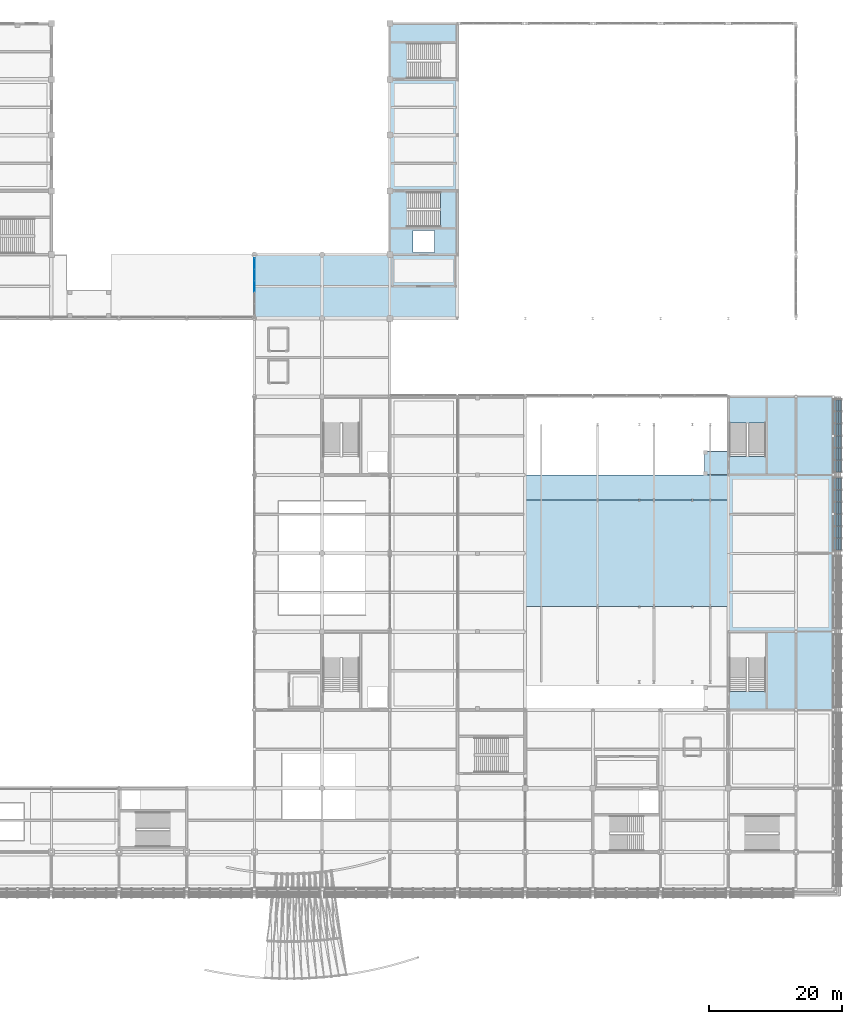
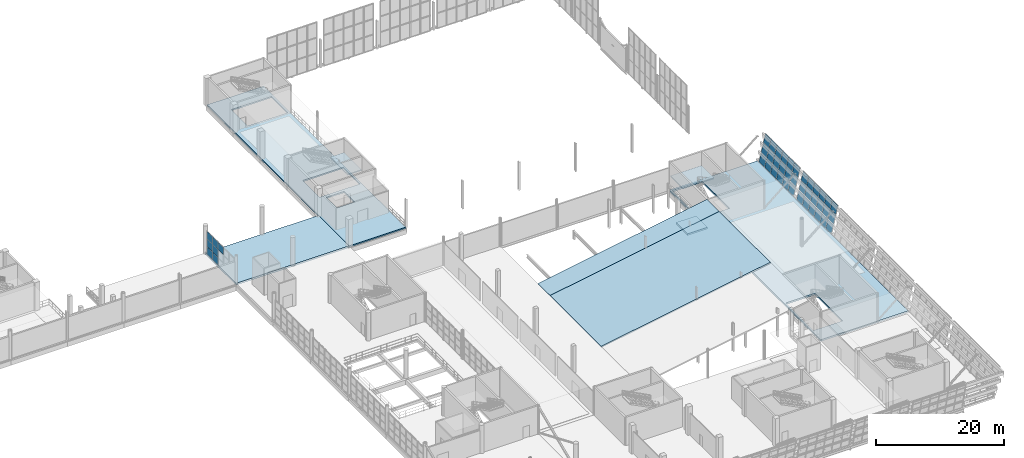
# One storey, part 118 of 175: 43 plates, 8 slabs, 5 elements without a shape of their own.
"""IFC4 building model written with IfcOpenShell, lengths in metres."""

import ifcopenshell
import ifcopenshell.guid

model = None  # the IFC model being written
_history = None  # IfcOwnerHistory: only IFC2X3 demands one
_inside = {}  # id of a spatial element -> (the spatial element, [elements in it])
_under = {}  # id of a project, library or spatial element -> (it, [spatial elements below it])
_declared = {}  # id of a project -> (the project, [libraries it declares])
_typed = {}  # id of a type object -> (the type object, [elements of that type])
_made_of = {}  # id of a material, layer set ... -> (it, [elements and type objects made of it])


def new_model(schema):
    """Start an empty IFC model of exactly this schema.

    Asked for "IFC4X3", IfcOpenShell would pick the latest addendum, in which some entities
    have other attributes; the version numbers below select the first issue.
    IFC2X3 requires an IfcOwnerHistory on every rooted entity: one is made here for all.
    """
    global model, _history
    if schema == "IFC4X3":
        model = ifcopenshell.file(schema_version=(4, 3, 0, 0))
    else:
        model = ifcopenshell.file(schema=schema)
    _inside.clear()
    _under.clear()
    _declared.clear()
    _typed.clear()
    _made_of.clear()
    _history = None
    if model.schema == "IFC2X3":
        org = make("IfcOrganization", Name="unknown")
        user = make(
            "IfcPersonAndOrganization",
            ThePerson=make("IfcPerson", FamilyName="unknown"),
            TheOrganization=org,
        )
        app = make(
            "IfcApplication",
            ApplicationDeveloper=org,
            Version="unknown",
            ApplicationFullName="unknown",
            ApplicationIdentifier="unknown",
        )
        _history = make(
            "IfcOwnerHistory",
            OwningUser=user,
            OwningApplication=app,
            ChangeAction="ADDED",
            CreationDate=0,
        )
    return model


def make(cls, **values):
    """One entity of the class cls with the attributes given. An attribute that is None is left unset."""
    return model.create_entity(
        cls, **{name: value for name, value in values.items() if value is not None}
    )


def rooted(cls, **values):
    """An entity with a GlobalId (a new one), such as an element, a storey or a relation."""
    return make(cls, GlobalId=ifcopenshell.guid.new(), OwnerHistory=_history, **values)


def si_unit(unit_type, name, prefix=None):
    """IfcSIUnit, for example si_unit("LENGTHUNIT", "METRE", prefix="MILLI")."""
    return make("IfcSIUnit", UnitType=unit_type, Prefix=prefix, Name=name)


def assignment(units):
    """IfcUnitAssignment: the units of a project."""
    return None if units is None else make("IfcUnitAssignment", Units=units)


def point(xyz):
    """IfcCartesianPoint."""
    return None if xyz is None else make("IfcCartesianPoint", Coordinates=xyz)


def direction(xyz):
    """IfcDirection."""
    return None if xyz is None else make("IfcDirection", DirectionRatios=xyz)


def frame(location, z_axis=None, x_axis=None):
    """IfcAxis2Placement3D, a coordinate frame: its origin and axes. An axis left out is left unset."""
    return make(
        "IfcAxis2Placement3D",
        Location=point(location),
        Axis=direction(z_axis),
        RefDirection=direction(x_axis),
    )


def frame_2d(location, x_axis=None):
    """IfcAxis2Placement2D, a coordinate frame in the plane: its origin and x axis."""
    return make(
        "IfcAxis2Placement2D", Location=point(location), RefDirection=direction(x_axis)
    )


def origin():
    """The frame at (0, 0, 0) with its axes left unset."""
    return frame((0.0, 0.0, 0.0))


def origin_2d():
    """The frame at (0, 0) in the plane with its x axis left unset."""
    return frame_2d((0.0, 0.0))


def place(relative_to, where):
    """IfcLocalPlacement: puts the frame where relative to a parent placement (None: the world)."""
    return make(
        "IfcLocalPlacement", PlacementRelTo=relative_to, RelativePlacement=where
    )


def context(
    kind, dimensions, precision=None, world=None, true_north=None, identifier=None
):
    """IfcGeometricRepresentationContext, for example the 3D "Model" context."""
    return make(
        "IfcGeometricRepresentationContext",
        ContextIdentifier=identifier,
        ContextType=kind,
        CoordinateSpaceDimension=dimensions,
        Precision=precision,
        WorldCoordinateSystem=world,
        TrueNorth=true_north,
    )


def subcontext(parent, identifier, kind, view, scale=None):
    """IfcGeometricRepresentationSubContext, for example "Body" below "Model"."""
    return make(
        "IfcGeometricRepresentationSubContext",
        ContextIdentifier=identifier,
        ContextType=kind,
        ParentContext=parent,
        TargetScale=scale,
        TargetView=view,
    )


def project(units=None, contexts=None):
    """IfcProject with its units and contexts."""
    return rooted(
        "IfcProject",
        Name="project",
        RepresentationContexts=contexts,
        UnitsInContext=assignment(units),
    )


def spatial(cls, under=None, at=None, **own):
    """A site, building, storey or space (cls), placed at a placement, below another one or the project."""
    s = rooted(cls, ObjectPlacement=at, **own)
    if under is not None:
        _under.setdefault(under.id(), (under, []))[1].append(s)
    return s


def polyline(points):
    """IfcPolyline through the points."""
    return make("IfcPolyline", Points=[point(p) for p in points])


def profile(cls, at=None, kind="AREA", **sizes):
    """A parametric profile (cls). Its sizes go by their IFC names, for example OverallWidth=200.0."""
    return make(cls, ProfileType=kind, Position=at, **sizes)


def rectangle(**sizes):
    """IfcRectangleProfileDef."""
    return profile("IfcRectangleProfileDef", **sizes)


def outline(outer, holes=None, kind="AREA"):
    """IfcArbitraryClosedProfileDef: a profile drawn as a closed curve; with holes, ...WithVoids."""
    if holes is None:
        return make("IfcArbitraryClosedProfileDef", ProfileType=kind, OuterCurve=outer)
    return make(
        "IfcArbitraryProfileDefWithVoids",
        ProfileType=kind,
        OuterCurve=outer,
        InnerCurves=holes,
    )


def extrude(swept, where, along, depth):
    """IfcExtrudedAreaSolid: the profile swept, set in the frame where, extruded along a direction by depth."""
    return make(
        "IfcExtrudedAreaSolid",
        SweptArea=swept,
        Position=where,
        ExtrudedDirection=direction(along),
        Depth=depth,
    )


def shape(context_of_items, identifier, shape_type, items):
    """IfcShapeRepresentation: the items that make up one representation, for example the "Body"."""
    return make(
        "IfcShapeRepresentation",
        ContextOfItems=context_of_items,
        RepresentationIdentifier=identifier,
        RepresentationType=shape_type,
        Items=items,
    )


def material(Name=None, Category=None):
    """IfcMaterial."""
    return make("IfcMaterial", Name=Name, Category=Category)


def layer(
    of_material, thickness, ventilated=None, Name=None, Category=None, Priority=None
):
    """IfcMaterialLayer: one layer of a wall or slab, of a material (None: an air gap)."""
    return make(
        "IfcMaterialLayer",
        Material=of_material,
        LayerThickness=thickness,
        IsVentilated=ventilated,
        Name=Name,
        Category=Category,
        Priority=Priority,
    )


def layer_set(layers, Name=None):
    """IfcMaterialLayerSet."""
    return make("IfcMaterialLayerSet", MaterialLayers=layers, LayerSetName=Name)


def made_of(thing, what):
    """Note that an element or type object is made of a material, layer set ...; save() writes the relation."""
    if what is not None:
        _made_of.setdefault(what.id(), (what, []))[1].append(thing)
    return thing


def type_object(cls, material=None, **own):
    """A type object (cls), such as IfcWallType, which elements share."""
    return made_of(rooted(cls, **own), material)


def element(
    cls,
    number,
    at=None,
    inside=None,
    cuts=None,
    type_object=None,
    material=None,
    context=None,
    identifier="Body",
    shape_type=None,
    held_by="IfcProductDefinitionShape",
    body=None,
    shapes=None,
    **own,
):
    """One element of the class cls, such as IfcWall. Its Tag is "e" and its number.

    at: its placement. inside: the storey or other place that contains it. cuts: it is an
    opening in that element (IfcRelVoidsElement). A single representation is given by context,
    identifier, shape_type and body (its items); several are given by shapes. held_by: the class
    of the entity that holds the representations. save() writes the other relations.
    """
    e = rooted(cls, Tag="e%d" % number, ObjectPlacement=at, **own)
    if body is not None:
        shapes = [shape(context, identifier, shape_type, body)]
    if shapes is not None:
        e.Representation = make(held_by, Representations=shapes)
    if inside is not None:
        _inside.setdefault(inside.id(), (inside, []))[1].append(e)
    if cuts is not None:
        rooted(
            "IfcRelVoidsElement", RelatingBuildingElement=cuts, RelatedOpeningElement=e
        )
    if type_object is not None:
        _typed.setdefault(type_object.id(), (type_object, []))[1].append(e)
    return made_of(e, material)


def aggregate(whole, parts):
    """IfcRelAggregates: a whole, such as a stair, and the parts it consists of."""
    return rooted("IfcRelAggregates", RelatingObject=whole, RelatedObjects=parts)


def save(model, path):
    """Write the relations noted so far, then the file.

    IfcRelAggregates (storeys below a building ...), IfcRelContainedInSpatialStructure (elements
    in a storey), IfcRelDefinesByType, IfcRelAssociatesMaterial and IfcRelDeclares: one each for
    every whole, place, type object, material and project.
    """
    for whole, parts in _under.values():
        aggregate(whole, parts)
    for where, things in _inside.values():
        rooted(
            "IfcRelContainedInSpatialStructure",
            RelatedElements=things,
            RelatingStructure=where,
        )
    for kind, things in _typed.values():
        rooted("IfcRelDefinesByType", RelatedObjects=things, RelatingType=kind)
    for what, things in _made_of.values():
        rooted("IfcRelAssociatesMaterial", RelatedObjects=things, RelatingMaterial=what)
    for by, libraries in _declared.values():
        rooted("IfcRelDeclares", RelatingContext=by, RelatedDefinitions=libraries)
    model.write(path)


model = new_model("IFC4")

# Units and contexts
model_context = context("Model", 3, precision=1e-05, world=origin(), true_north=direction((0.0, 1.0)))
body_context = subcontext(model_context, "Body", "Model", "MODEL_VIEW")
ifc_project = project(units=[si_unit("LENGTHUNIT", "METRE"), si_unit("AREAUNIT", "SQUARE_METRE"), si_unit("VOLUMEUNIT", "CUBIC_METRE"), si_unit("PLANEANGLEUNIT", "RADIAN"), si_unit("MASSUNIT", "GRAM", prefix="KILO")], contexts=[model_context])

# Site, building, storey
site_placement = place(None, origin())
site = spatial("IfcSite", under=ifc_project, at=site_placement, CompositionType="ELEMENT")
building_placement = place(site_placement, origin())
building = spatial("IfcBuilding", under=site, at=building_placement, Name="Brelvane Convention Centre", CompositionType="ELEMENT")
storey_placement = place(building_placement, frame((0.0, 0.0, 5.39990234375)))
storey = spatial("IfcBuildingStorey", under=building, at=storey_placement, Name="L01", CompositionType="ELEMENT", Elevation=5.39990234375)

# Curtain wall, plates
ifc_material_1 = material(Name="Anodised Aluminium Alloy 6063-T6", Category="aluminium")
curtain_wall_type_1 = type_object("IfcCurtainWallType", Name="Curtain Wall CW-PLEN-E", PredefinedType="USERDEFINED", material=ifc_material_1)
curtain_wall_1_placement = place(storey_placement, origin())
curtain_wall_1 = element("IfcCurtainWall", 1, at=curtain_wall_1_placement, inside=storey, type_object=curtain_wall_type_1, Name="Curtain Wall CW-PLEN-E L01-HULL-E-L01-5", ObjectType="UNITISED", PredefinedType="USERDEFINED")
ifc_material_2 = material(Name="Double Glazed Low-E Laminated Unit")
ifc_layer_1 = layer(ifc_material_2, 0.031982421875)
ifc_layer_set_1 = layer_set([ifc_layer_1], Name="Double Glazed Low-E Laminated Unit")
plate_type_1 = type_object("IfcPlateType", Name="Curtain Panel CW-PG1", PredefinedType="CURTAIN_PANEL", material=ifc_layer_set_1)
plate_1_placement = place(storey_placement, frame((230.410888671875, 64.675048828125, 1.751708984375), z_axis=(-0.973579720105, 0.0, 0.228347385798), x_axis=(0.0, 1.0, 0.0)))
plate_1 = element("IfcPlate", 2, at=plate_1_placement, type_object=plate_type_1, Name="CW-PLEN-E panel 1.2", PredefinedType="CURTAIN_PANEL", context=body_context, shape_type="SweptSolid", body=[
    extrude(outline(polyline([(0.0, 0.0), (1.720703125, 0.0), (1.720703125, -1.6914162051852764), (0.0, -1.6914162051852764), (0.0, 0.0)])), origin(), (0.0, 0.0, -1.0), 0.031982421875),
])
plate_2_placement = place(storey_placement, frame((230.8134765625, 64.675048828125, 3.468505859375), z_axis=(-0.973587118463, 0.0, 0.22831583993), x_axis=(0.0, 1.0, 0.0)))
plate_2 = element("IfcPlate", 3, at=plate_2_placement, type_object=plate_type_1, Name="CW-PLEN-E panel 1.3", PredefinedType="CURTAIN_PANEL", context=body_context, shape_type="SweptSolid", body=[
    extrude(outline(polyline([(0.0, 0.0), (1.720703125, 0.0), (1.720703125, -1.6552933323207533), (0.0, -1.6552933323207533), (0.0, 0.0)])), origin(), (0.0, 0.0, -1.0), 0.031982421875),
])
plate_3_placement = place(storey_placement, frame((230.410888671875, 66.470947265625, 1.751708984375), z_axis=(-0.973579720105, 0.0, 0.228347385798), x_axis=(0.0, 1.0, 0.0)))
plate_3 = element("IfcPlate", 4, at=plate_3_placement, type_object=plate_type_1, Name="CW-PLEN-E panel 2.2", PredefinedType="CURTAIN_PANEL", context=body_context, shape_type="SweptSolid", body=[
    extrude(outline(polyline([(0.0, 0.0), (1.75830078125, 0.0), (1.75830078125, -1.6914162051852764), (0.0, -1.6914162051852764), (0.0, 0.0)])), origin(), (0.0, 0.0, -1.0), 0.031982421875),
])
plate_4_placement = place(storey_placement, frame((230.8134765625, 66.470947265625, 3.468505859375), z_axis=(-0.973587118463, 0.0, 0.22831583993), x_axis=(0.0, 1.0, 0.0)))
plate_4 = element("IfcPlate", 5, at=plate_4_placement, type_object=plate_type_1, Name="CW-PLEN-E panel 2.3", PredefinedType="CURTAIN_PANEL", context=body_context, shape_type="SweptSolid", body=[
    extrude(outline(polyline([(0.0, 0.0), (1.75830078125, 0.0), (1.75830078125, -1.6552933323207533), (0.0, -1.6552933323207533), (0.0, 0.0)])), origin(), (0.0, 0.0, -1.0), 0.031982421875),
])
plate_5_placement = place(storey_placement, frame((230.410888671875, 68.30419921875, 1.751708984375), z_axis=(-0.973579720105, 0.0, 0.228347385798), x_axis=(0.0, 1.0, 0.0)))
plate_5 = element("IfcPlate", 6, at=plate_5_placement, type_object=plate_type_1, Name="CW-PLEN-E panel 3.2", PredefinedType="CURTAIN_PANEL", context=body_context, shape_type="SweptSolid", body=[
    extrude(outline(polyline([(0.0, 0.0), (1.75830078125, 0.0), (1.75830078125, -1.6914162051852764), (0.0, -1.6914162051852764), (0.0, 0.0)])), origin(), (0.0, 0.0, -1.0), 0.031982421875),
])
plate_6_placement = place(storey_placement, frame((230.8134765625, 68.30419921875, 3.468505859375), z_axis=(-0.973587118463, 0.0, 0.22831583993), x_axis=(0.0, 1.0, 0.0)))
plate_6 = element("IfcPlate", 7, at=plate_6_placement, type_object=plate_type_1, Name="CW-PLEN-E panel 3.3", PredefinedType="CURTAIN_PANEL", context=body_context, shape_type="SweptSolid", body=[
    extrude(outline(polyline([(0.0, 0.0), (1.75830078125, 0.0), (1.75830078125, -1.6552933323207533), (0.0, -1.6552933323207533), (0.0, 0.0)])), origin(), (0.0, 0.0, -1.0), 0.031982421875),
])
plate_7_placement = place(storey_placement, frame((230.410888671875, 70.137451171875, 1.751708984375), z_axis=(-0.973579720105, 0.0, 0.228347385798), x_axis=(0.0, 1.0, 0.0)))
plate_7 = element("IfcPlate", 8, at=plate_7_placement, type_object=plate_type_1, Name="CW-PLEN-E panel 4.2", PredefinedType="CURTAIN_PANEL", context=body_context, shape_type="SweptSolid", body=[
    extrude(outline(polyline([(0.0, 0.0), (1.75830078125, 0.0), (1.75830078125, -1.6914162051852764), (0.0, -1.6914162051852764), (0.0, 0.0)])), origin(), (0.0, 0.0, -1.0), 0.031982421875),
])
plate_8_placement = place(storey_placement, frame((230.8134765625, 70.137451171875, 3.468505859375), z_axis=(-0.973587118463, 0.0, 0.22831583993), x_axis=(0.0, 1.0, 0.0)))
plate_8 = element("IfcPlate", 9, at=plate_8_placement, type_object=plate_type_1, Name="CW-PLEN-E panel 4.3", PredefinedType="CURTAIN_PANEL", context=body_context, shape_type="SweptSolid", body=[
    extrude(outline(polyline([(0.0, 0.0), (1.75830078125, 0.0), (1.75830078125, -1.6552933323207533), (0.0, -1.6552933323207533), (0.0, 0.0)])), origin(), (0.0, 0.0, -1.0), 0.031982421875),
])
plate_9_placement = place(storey_placement, frame((230.410888671875, 71.970947265625, 1.751708984375), z_axis=(-0.973579720105, 0.0, 0.228347385798), x_axis=(0.0, 1.0, 0.0)))
plate_9 = element("IfcPlate", 10, at=plate_9_placement, type_object=plate_type_1, Name="CW-PLEN-E panel 5.2", PredefinedType="CURTAIN_PANEL", context=body_context, shape_type="SweptSolid", body=[
    extrude(outline(polyline([(0.0, 0.0), (1.75830078125, 0.0), (1.75830078125, -1.6914162051852764), (0.0, -1.6914162051852764), (0.0, 0.0)])), origin(), (0.0, 0.0, -1.0), 0.031982421875),
])
plate_10_placement = place(storey_placement, frame((230.8134765625, 71.970947265625, 3.468505859375), z_axis=(-0.973587118463, 0.0, 0.22831583993), x_axis=(0.0, 1.0, 0.0)))
plate_10 = element("IfcPlate", 11, at=plate_10_placement, type_object=plate_type_1, Name="CW-PLEN-E panel 5.3", PredefinedType="CURTAIN_PANEL", context=body_context, shape_type="SweptSolid", body=[
    extrude(outline(polyline([(0.0, 0.0), (1.75830078125, 0.0), (1.75830078125, -1.6552933323207533), (0.0, -1.6552933323207533), (0.0, 0.0)])), origin(), (0.0, 0.0, -1.0), 0.031982421875),
])
plate_11_placement = place(storey_placement, frame((230.410888671875, 73.80419921875, 1.751708984375), z_axis=(-0.973579720105, 0.0, 0.228347385798), x_axis=(0.0, 1.0, 0.0)))
plate_11 = element("IfcPlate", 12, at=plate_11_placement, type_object=plate_type_1, Name="CW-PLEN-E panel 6.2", PredefinedType="CURTAIN_PANEL", context=body_context, shape_type="SweptSolid", body=[
    extrude(outline(polyline([(0.0, 0.0), (1.720703125, 0.0), (1.720703125, -1.6914162051852764), (0.0, -1.6914162051852764), (0.0, 0.0)])), origin(), (0.0, 0.0, -1.0), 0.031982421875),
])
plate_12_placement = place(storey_placement, frame((230.8134765625, 73.80419921875, 3.468505859375), z_axis=(-0.973587118463, 0.0, 0.22831583993), x_axis=(0.0, 1.0, 0.0)))
plate_12 = element("IfcPlate", 13, at=plate_12_placement, type_object=plate_type_1, Name="CW-PLEN-E panel 6.3", PredefinedType="CURTAIN_PANEL", context=body_context, shape_type="SweptSolid", body=[
    extrude(outline(polyline([(0.0, 0.0), (1.720703125, 0.0), (1.720703125, -1.6552933323207533), (0.0, -1.6552933323207533), (0.0, 0.0)])), origin(), (0.0, 0.0, -1.0), 0.031982421875),
])

curtain_wall_2_placement = place(storey_placement, origin())
curtain_wall_2 = element("IfcCurtainWall", 14, at=curtain_wall_2_placement, inside=storey, type_object=curtain_wall_type_1, Name="Curtain Wall CW-PLEN-E L01-HULL-E-L01-6", ObjectType="UNITISED", PredefinedType="USERDEFINED")
plate_13_placement = place(storey_placement, frame((230.410888671875, 76.47509765625, 1.751708984375), z_axis=(-0.973579720105, 0.0, 0.228347385798), x_axis=(0.0, 1.0, 0.0)))
plate_13 = element("IfcPlate", 15, at=plate_13_placement, type_object=plate_type_1, Name="CW-PLEN-E panel 1.2", PredefinedType="CURTAIN_PANEL", context=body_context, shape_type="SweptSolid", body=[
    extrude(outline(polyline([(0.0, 0.0), (1.720703125, 0.0), (1.720703125, -1.6914162051852764), (0.0, -1.6914162051852764), (0.0, 0.0)])), origin(), (0.0, 0.0, -1.0), 0.031982421875),
])
plate_14_placement = place(storey_placement, frame((230.8134765625, 76.47509765625, 3.468505859375), z_axis=(-0.973587118463, 0.0, 0.22831583993), x_axis=(0.0, 1.0, 0.0)))
plate_14 = element("IfcPlate", 16, at=plate_14_placement, type_object=plate_type_1, Name="CW-PLEN-E panel 1.3", PredefinedType="CURTAIN_PANEL", context=body_context, shape_type="SweptSolid", body=[
    extrude(outline(polyline([(0.0, 0.0), (1.720703125, 0.0), (1.720703125, -1.6552933323207533), (0.0, -1.6552933323207533), (0.0, 0.0)])), origin(), (0.0, 0.0, -1.0), 0.031982421875),
])
plate_15_placement = place(storey_placement, frame((230.410888671875, 78.270751953125, 1.751708984375), z_axis=(-0.973579720105, 0.0, 0.228347385798), x_axis=(0.0, 1.0, 0.0)))
plate_15 = element("IfcPlate", 17, at=plate_15_placement, type_object=plate_type_1, Name="CW-PLEN-E panel 2.2", PredefinedType="CURTAIN_PANEL", context=body_context, shape_type="SweptSolid", body=[
    extrude(outline(polyline([(0.0, 0.0), (1.75830078125, 0.0), (1.75830078125, -1.6914162051852764), (0.0, -1.6914162051852764), (0.0, 0.0)])), origin(), (0.0, 0.0, -1.0), 0.031982421875),
])
plate_16_placement = place(storey_placement, frame((230.8134765625, 78.270751953125, 3.468505859375), z_axis=(-0.973587118463, 0.0, 0.22831583993), x_axis=(0.0, 1.0, 0.0)))
plate_16 = element("IfcPlate", 18, at=plate_16_placement, type_object=plate_type_1, Name="CW-PLEN-E panel 2.3", PredefinedType="CURTAIN_PANEL", context=body_context, shape_type="SweptSolid", body=[
    extrude(outline(polyline([(0.0, 0.0), (1.75830078125, 0.0), (1.75830078125, -1.6552933323207533), (0.0, -1.6552933323207533), (0.0, 0.0)])), origin(), (0.0, 0.0, -1.0), 0.031982421875),
])
plate_17_placement = place(storey_placement, frame((230.410888671875, 80.104248046875, 1.751708984375), z_axis=(-0.973579720105, 0.0, 0.228347385798), x_axis=(0.0, 1.0, 0.0)))
plate_17 = element("IfcPlate", 19, at=plate_17_placement, type_object=plate_type_1, Name="CW-PLEN-E panel 3.2", PredefinedType="CURTAIN_PANEL", context=body_context, shape_type="SweptSolid", body=[
    extrude(outline(polyline([(0.0, 0.0), (1.75830078125, 0.0), (1.75830078125, -1.6914162051852764), (0.0, -1.6914162051852764), (0.0, 0.0)])), origin(), (0.0, 0.0, -1.0), 0.031982421875),
])
plate_18_placement = place(storey_placement, frame((230.8134765625, 80.104248046875, 3.468505859375), z_axis=(-0.973587118463, 0.0, 0.22831583993), x_axis=(0.0, 1.0, 0.0)))
plate_18 = element("IfcPlate", 20, at=plate_18_placement, type_object=plate_type_1, Name="CW-PLEN-E panel 3.3", PredefinedType="CURTAIN_PANEL", context=body_context, shape_type="SweptSolid", body=[
    extrude(outline(polyline([(0.0, 0.0), (1.75830078125, 0.0), (1.75830078125, -1.6552933323207533), (0.0, -1.6552933323207533), (0.0, 0.0)])), origin(), (0.0, 0.0, -1.0), 0.031982421875),
])
plate_19_placement = place(storey_placement, frame((230.410888671875, 81.9375, 1.751708984375), z_axis=(-0.973579720105, 0.0, 0.228347385798), x_axis=(0.0, 1.0, 0.0)))
plate_19 = element("IfcPlate", 21, at=plate_19_placement, type_object=plate_type_1, Name="CW-PLEN-E panel 4.2", PredefinedType="CURTAIN_PANEL", context=body_context, shape_type="SweptSolid", body=[
    extrude(outline(polyline([(0.0, 0.0), (1.75830078125, 0.0), (1.75830078125, -1.6914162051852764), (0.0, -1.6914162051852764), (0.0, 0.0)])), origin(), (0.0, 0.0, -1.0), 0.031982421875),
])
plate_20_placement = place(storey_placement, frame((230.8134765625, 81.9375, 3.468505859375), z_axis=(-0.973587118463, 0.0, 0.22831583993), x_axis=(0.0, 1.0, 0.0)))
plate_20 = element("IfcPlate", 22, at=plate_20_placement, type_object=plate_type_1, Name="CW-PLEN-E panel 4.3", PredefinedType="CURTAIN_PANEL", context=body_context, shape_type="SweptSolid", body=[
    extrude(outline(polyline([(0.0, 0.0), (1.75830078125, 0.0), (1.75830078125, -1.6552933323207533), (0.0, -1.6552933323207533), (0.0, 0.0)])), origin(), (0.0, 0.0, -1.0), 0.031982421875),
])
plate_21_placement = place(storey_placement, frame((230.410888671875, 83.770751953125, 1.751708984375), z_axis=(-0.973579720105, 0.0, 0.228347385798), x_axis=(0.0, 1.0, 0.0)))
plate_21 = element("IfcPlate", 23, at=plate_21_placement, type_object=plate_type_1, Name="CW-PLEN-E panel 5.2", PredefinedType="CURTAIN_PANEL", context=body_context, shape_type="SweptSolid", body=[
    extrude(outline(polyline([(0.0, 0.0), (1.75830078125, 0.0), (1.75830078125, -1.6914162051852764), (0.0, -1.6914162051852764), (0.0, 0.0)])), origin(), (0.0, 0.0, -1.0), 0.031982421875),
])
plate_22_placement = place(storey_placement, frame((230.8134765625, 83.770751953125, 3.468505859375), z_axis=(-0.973587118463, 0.0, 0.22831583993), x_axis=(0.0, 1.0, 0.0)))
plate_22 = element("IfcPlate", 24, at=plate_22_placement, type_object=plate_type_1, Name="CW-PLEN-E panel 5.3", PredefinedType="CURTAIN_PANEL", context=body_context, shape_type="SweptSolid", body=[
    extrude(outline(polyline([(0.0, 0.0), (1.75830078125, 0.0), (1.75830078125, -1.6552933323207533), (0.0, -1.6552933323207533), (0.0, 0.0)])), origin(), (0.0, 0.0, -1.0), 0.031982421875),
])
plate_23_placement = place(storey_placement, frame((230.410888671875, 85.604248046875, 1.751708984375), z_axis=(-0.973579720105, 0.0, 0.228347385798), x_axis=(0.0, 1.0, 0.0)))
plate_23 = element("IfcPlate", 25, at=plate_23_placement, type_object=plate_type_1, Name="CW-PLEN-E panel 6.2", PredefinedType="CURTAIN_PANEL", context=body_context, shape_type="SweptSolid", body=[
    extrude(outline(polyline([(0.0, 0.0), (1.720703125, 0.0), (1.720703125, -1.6914162051852764), (0.0, -1.6914162051852764), (0.0, 0.0)])), origin(), (0.0, 0.0, -1.0), 0.031982421875),
])
plate_24_placement = place(storey_placement, frame((230.8134765625, 85.604248046875, 3.468505859375), z_axis=(-0.973587118463, 0.0, 0.22831583993), x_axis=(0.0, 1.0, 0.0)))
plate_24 = element("IfcPlate", 26, at=plate_24_placement, type_object=plate_type_1, Name="CW-PLEN-E panel 6.3", PredefinedType="CURTAIN_PANEL", context=body_context, shape_type="SweptSolid", body=[
    extrude(outline(polyline([(0.0, 0.0), (1.720703125, 0.0), (1.720703125, -1.6552933323207533), (0.0, -1.6552933323207533), (0.0, 0.0)])), origin(), (0.0, 0.0, -1.0), 0.031982421875),
])

ifc_material_3 = material(Name="Anodised Aluminium Alloy 6063-T6", Category="aluminium")
curtain_wall_type_2 = type_object("IfcCurtainWallType", Name="Curtain Wall CW-PAV", PredefinedType="USERDEFINED", material=ifc_material_3)
curtain_wall_3_placement = place(storey_placement, origin())
curtain_wall_3 = element("IfcCurtainWall", 27, at=curtain_wall_3_placement, inside=storey, type_object=curtain_wall_type_2, Name="Curtain Wall CW-PAV L01-COURT-E-CW-L01", ObjectType="UNITISED", PredefinedType="USERDEFINED")
ifc_material_4 = material(Name="Double Glazed Low-E Laminated Unit")
ifc_layer_2 = layer(ifc_material_4, 0.0439453125)
ifc_layer_set_2 = layer_set([ifc_layer_2], Name="Double Glazed Low-E Laminated Unit")
plate_type_2 = type_object("IfcPlateType", Name="Curtain Panel CW-PG3", PredefinedType="CURTAIN_PANEL", material=ifc_layer_set_2)
plate_25_placement = place(storey_placement, frame((142.800048828125, 104.39990234375, 3.0302734375), z_axis=(0.0, 0.0, 1.0), x_axis=(0.0, 1.0, 0.0)))
plate_25 = element("IfcPlate", 28, at=plate_25_placement, type_object=plate_type_2, Name="CW-PAV panel 3.3", PredefinedType="CURTAIN_PANEL", context=body_context, shape_type="SweptSolid", body=[
    extrude(rectangle(XDim=1.655029296875, YDim=0.0439453125, at=origin_2d()), origin(), (0.0, 0.0, 1.0), 1.409912109375),
])
plate_26_placement = place(storey_placement, frame((142.800048828125, 106.1201171875, 0.06005859375), z_axis=(0.0, 0.0, 1.0), x_axis=(0.0, 1.0, 0.0)))
plate_26 = element("IfcPlate", 29, at=plate_26_placement, type_object=plate_type_2, Name="CW-PAV panel 4.1", PredefinedType="CURTAIN_PANEL", context=body_context, shape_type="SweptSolid", body=[
    extrude(rectangle(XDim=1.655029296875, YDim=0.0439453125, at=origin_2d()), origin(), (0.0, 0.0, 1.0), 1.409912109375),
])
plate_27_placement = place(storey_placement, frame((142.800048828125, 106.1201171875, 1.530029296875), z_axis=(0.0, 0.0, 1.0), x_axis=(0.0, 1.0, 0.0)))
plate_27 = element("IfcPlate", 30, at=plate_27_placement, type_object=plate_type_2, Name="CW-PAV panel 4.2", PredefinedType="CURTAIN_PANEL", context=body_context, shape_type="SweptSolid", body=[
    extrude(rectangle(XDim=1.655029296875, YDim=0.0439453125, at=origin_2d()), origin(), (0.0, 0.0, 1.0), 1.43994140625),
])
plate_28_placement = place(storey_placement, frame((142.800048828125, 106.1201171875, 3.0302734375), z_axis=(0.0, 0.0, 1.0), x_axis=(0.0, 1.0, 0.0)))
plate_28 = element("IfcPlate", 31, at=plate_28_placement, type_object=plate_type_2, Name="CW-PAV panel 4.3", PredefinedType="CURTAIN_PANEL", context=body_context, shape_type="SweptSolid", body=[
    extrude(rectangle(XDim=1.655029296875, YDim=0.0439453125, at=origin_2d()), origin(), (0.0, 0.0, 1.0), 1.409912109375),
])
plate_29_placement = place(storey_placement, frame((142.800048828125, 107.82373046875, 0.06005859375), z_axis=(0.0, 0.0, 1.0), x_axis=(0.0, 1.0, 0.0)))
plate_29 = element("IfcPlate", 32, at=plate_29_placement, type_object=plate_type_2, Name="CW-PAV panel 5.1", PredefinedType="CURTAIN_PANEL", context=body_context, shape_type="SweptSolid", body=[
    extrude(rectangle(XDim=1.62255859375, YDim=0.0439453125, at=origin_2d()), origin(), (0.0, 0.0, 1.0), 1.409912109375),
])
plate_30_placement = place(storey_placement, frame((142.800048828125, 107.82373046875, 1.530029296875), z_axis=(0.0, 0.0, 1.0), x_axis=(0.0, 1.0, 0.0)))
plate_30 = element("IfcPlate", 33, at=plate_30_placement, type_object=plate_type_2, Name="CW-PAV panel 5.2", PredefinedType="CURTAIN_PANEL", context=body_context, shape_type="SweptSolid", body=[
    extrude(rectangle(XDim=1.62255859375, YDim=0.0439453125, at=origin_2d()), origin(), (0.0, 0.0, 1.0), 1.43994140625),
])
plate_31_placement = place(storey_placement, frame((142.800048828125, 107.82373046875, 3.0302734375), z_axis=(0.0, 0.0, 1.0), x_axis=(0.0, 1.0, 0.0)))
plate_31 = element("IfcPlate", 34, at=plate_31_placement, type_object=plate_type_2, Name="CW-PAV panel 5.3", PredefinedType="CURTAIN_PANEL", context=body_context, shape_type="SweptSolid", body=[
    extrude(rectangle(XDim=1.62255859375, YDim=0.0439453125, at=origin_2d()), origin(), (0.0, 0.0, 1.0), 1.409912109375),
])
aggregate(curtain_wall_3, [plate_25, plate_26, plate_27, plate_28, plate_29, plate_30, plate_31])

# Plate
ifc_material_5 = material(Name="Patinated Copper-Bronze Alloy C22000")
ifc_layer_3 = layer(ifc_material_5, 0.048095703125)
ifc_layer_set_3 = layer_set([ifc_layer_3], Name="Patinated Copper-Bronze Alloy C22000")
plate_type_3 = type_object("IfcPlateType", Name="Curtain Panel CW-PS1", PredefinedType="CURTAIN_PANEL", material=ifc_layer_set_3)
plate_32_placement = place(storey_placement, frame((230.016357421875, 64.675048828125, 0.070068359375), z_axis=(-0.973562020395, 0.0, 0.228422836957), x_axis=(0.0, 1.0, 0.0)))
plate_32 = element("IfcPlate", 35, at=plate_32_placement, type_object=plate_type_3, Name="CW-PLEN-E panel 1.1", PredefinedType="CURTAIN_PANEL", context=body_context, shape_type="SweptSolid", body=[
    extrude(outline(polyline([(0.0, 0.0), (1.720703125, 0.0), (1.720703125, -1.6555867756585225), (0.0, -1.6555867756585225), (0.0, 0.0)])), origin(), (0.0, 0.0, -1.0), 0.031982421875),
])

plate_33_placement = place(storey_placement, frame((230.016357421875, 66.470947265625, 0.070068359375), z_axis=(-0.973562020395, 0.0, 0.228422836957), x_axis=(0.0, 1.0, 0.0)))
plate_33 = element("IfcPlate", 36, at=plate_33_placement, type_object=plate_type_3, Name="CW-PLEN-E panel 2.1", PredefinedType="CURTAIN_PANEL", context=body_context, shape_type="SweptSolid", body=[
    extrude(outline(polyline([(0.0, 0.0), (1.75830078125, 0.0), (1.75830078125, -1.6555867756585223), (0.0, -1.6555867756585223), (0.0, 0.0)])), origin(), (0.0, 0.0, -1.0), 0.031982421875),
])

plate_34_placement = place(storey_placement, frame((230.016357421875, 68.30419921875, 0.070068359375), z_axis=(-0.973562020395, 0.0, 0.228422836957), x_axis=(0.0, 1.0, 0.0)))
plate_34 = element("IfcPlate", 37, at=plate_34_placement, type_object=plate_type_3, Name="CW-PLEN-E panel 3.1", PredefinedType="CURTAIN_PANEL", context=body_context, shape_type="SweptSolid", body=[
    extrude(outline(polyline([(0.0, 0.0), (1.75830078125, 0.0), (1.75830078125, -1.6555867756585223), (0.0, -1.6555867756585223), (0.0, 0.0)])), origin(), (0.0, 0.0, -1.0), 0.031982421875),
])

plate_35_placement = place(storey_placement, frame((230.016357421875, 70.137451171875, 0.070068359375), z_axis=(-0.973562020395, 0.0, 0.228422836957), x_axis=(0.0, 1.0, 0.0)))
plate_35 = element("IfcPlate", 38, at=plate_35_placement, type_object=plate_type_3, Name="CW-PLEN-E panel 4.1", PredefinedType="CURTAIN_PANEL", context=body_context, shape_type="SweptSolid", body=[
    extrude(outline(polyline([(0.0, 0.0), (1.75830078125, 0.0), (1.75830078125, -1.6555867756585223), (0.0, -1.6555867756585223), (0.0, 0.0)])), origin(), (0.0, 0.0, -1.0), 0.031982421875),
])

plate_36_placement = place(storey_placement, frame((230.016357421875, 71.970947265625, 0.070068359375), z_axis=(-0.973562020395, 0.0, 0.228422836957), x_axis=(0.0, 1.0, 0.0)))
plate_36 = element("IfcPlate", 39, at=plate_36_placement, type_object=plate_type_3, Name="CW-PLEN-E panel 5.1", PredefinedType="CURTAIN_PANEL", context=body_context, shape_type="SweptSolid", body=[
    extrude(outline(polyline([(0.0, 0.0), (1.75830078125, 0.0), (1.75830078125, -1.6555867756585223), (0.0, -1.6555867756585223), (0.0, 0.0)])), origin(), (0.0, 0.0, -1.0), 0.031982421875),
])

plate_37_placement = place(storey_placement, frame((230.016357421875, 73.80419921875, 0.070068359375), z_axis=(-0.973562020395, 0.0, 0.228422836957), x_axis=(0.0, 1.0, 0.0)))
plate_37 = element("IfcPlate", 40, at=plate_37_placement, type_object=plate_type_3, Name="CW-PLEN-E panel 6.1", PredefinedType="CURTAIN_PANEL", context=body_context, shape_type="SweptSolid", body=[
    extrude(outline(polyline([(0.0, 0.0), (1.720703125, 0.0), (1.720703125, -1.6555867756585225), (0.0, -1.6555867756585225), (0.0, 0.0)])), origin(), (0.0, 0.0, -1.0), 0.031982421875),
])

aggregate(curtain_wall_1, [plate_32, plate_1, plate_2, plate_33, plate_3, plate_4, plate_34, plate_5, plate_6, plate_35, plate_7, plate_8, plate_36, plate_9, plate_10, plate_37, plate_11, plate_12])

plate_38_placement = place(storey_placement, frame((230.016357421875, 76.47509765625, 0.070068359375), z_axis=(-0.973562020395, 0.0, 0.228422836957), x_axis=(0.0, 1.0, 0.0)))
plate_38 = element("IfcPlate", 41, at=plate_38_placement, type_object=plate_type_3, Name="CW-PLEN-E panel 1.1", PredefinedType="CURTAIN_PANEL", context=body_context, shape_type="SweptSolid", body=[
    extrude(outline(polyline([(0.0, 0.0), (1.720703125, 0.0), (1.720703125, -1.6555867756585225), (0.0, -1.6555867756585225), (0.0, 0.0)])), origin(), (0.0, 0.0, -1.0), 0.031982421875),
])

plate_39_placement = place(storey_placement, frame((230.016357421875, 78.270751953125, 0.070068359375), z_axis=(-0.973562020395, 0.0, 0.228422836957), x_axis=(0.0, 1.0, 0.0)))
plate_39 = element("IfcPlate", 42, at=plate_39_placement, type_object=plate_type_3, Name="CW-PLEN-E panel 2.1", PredefinedType="CURTAIN_PANEL", context=body_context, shape_type="SweptSolid", body=[
    extrude(outline(polyline([(0.0, 0.0), (1.75830078125, 0.0), (1.75830078125, -1.6555867756585223), (0.0, -1.6555867756585223), (0.0, 0.0)])), origin(), (0.0, 0.0, -1.0), 0.031982421875),
])

plate_40_placement = place(storey_placement, frame((230.016357421875, 80.104248046875, 0.070068359375), z_axis=(-0.973562020395, 0.0, 0.228422836957), x_axis=(0.0, 1.0, 0.0)))
plate_40 = element("IfcPlate", 43, at=plate_40_placement, type_object=plate_type_3, Name="CW-PLEN-E panel 3.1", PredefinedType="CURTAIN_PANEL", context=body_context, shape_type="SweptSolid", body=[
    extrude(outline(polyline([(0.0, 0.0), (1.75830078125, 0.0), (1.75830078125, -1.6555867756585223), (0.0, -1.6555867756585223), (0.0, 0.0)])), origin(), (0.0, 0.0, -1.0), 0.031982421875),
])

plate_41_placement = place(storey_placement, frame((230.016357421875, 81.9375, 0.070068359375), z_axis=(-0.973562020395, 0.0, 0.228422836957), x_axis=(0.0, 1.0, 0.0)))
plate_41 = element("IfcPlate", 44, at=plate_41_placement, type_object=plate_type_3, Name="CW-PLEN-E panel 4.1", PredefinedType="CURTAIN_PANEL", context=body_context, shape_type="SweptSolid", body=[
    extrude(outline(polyline([(0.0, 0.0), (1.75830078125, 0.0), (1.75830078125, -1.6555867756585223), (0.0, -1.6555867756585223), (0.0, 0.0)])), origin(), (0.0, 0.0, -1.0), 0.031982421875),
])

plate_42_placement = place(storey_placement, frame((230.016357421875, 83.770751953125, 0.070068359375), z_axis=(-0.973562020395, 0.0, 0.228422836957), x_axis=(0.0, 1.0, 0.0)))
plate_42 = element("IfcPlate", 45, at=plate_42_placement, type_object=plate_type_3, Name="CW-PLEN-E panel 5.1", PredefinedType="CURTAIN_PANEL", context=body_context, shape_type="SweptSolid", body=[
    extrude(outline(polyline([(0.0, 0.0), (1.75830078125, 0.0), (1.75830078125, -1.6555867756585223), (0.0, -1.6555867756585223), (0.0, 0.0)])), origin(), (0.0, 0.0, -1.0), 0.031982421875),
])

plate_43_placement = place(storey_placement, frame((230.016357421875, 85.604248046875, 0.070068359375), z_axis=(-0.973562020395, 0.0, 0.228422836957), x_axis=(0.0, 1.0, 0.0)))
plate_43 = element("IfcPlate", 46, at=plate_43_placement, type_object=plate_type_3, Name="CW-PLEN-E panel 6.1", PredefinedType="CURTAIN_PANEL", context=body_context, shape_type="SweptSolid", body=[
    extrude(outline(polyline([(0.0, 0.0), (1.720703125, 0.0), (1.720703125, -1.6555867756585225), (0.0, -1.6555867756585225), (0.0, 0.0)])), origin(), (0.0, 0.0, -1.0), 0.031982421875),
])

aggregate(curtain_wall_2, [plate_38, plate_13, plate_14, plate_39, plate_15, plate_16, plate_40, plate_17, plate_18, plate_41, plate_19, plate_20, plate_42, plate_21, plate_22, plate_43, plate_23, plate_24])

# Stair, slab
ifc_material_6 = material(Name="Concrete M40", Category="concrete")
stair_type_1 = type_object("IfcStairType", Name="Exit Stair ST-CORE", PredefinedType="HALF_TURN_STAIR", material=ifc_material_6)
stair_1_placement = place(storey_placement, origin())
stair_1 = element("IfcStair", 47, at=stair_1_placement, inside=storey, type_object=stair_type_1, Name="Exit Stair ST-05 (L01 to L02)", PredefinedType="HALF_TURN_STAIR")
ifc_material_7 = material(Name="Concrete M40", Category="concrete")
ifc_layer_4 = layer(ifc_material_7, 0.199951171875)
ifc_layer_set_4 = layer_set([ifc_layer_4], Name="Concrete M40")
slab_type_1 = type_object("IfcSlabType", Name="Stair Landing SL-LND-200", PredefinedType="LANDING", material=ifc_layer_set_4)
slab_1_placement = place(storey_placement, frame((0.0, 0.0, 2.5)))
slab_1 = element("IfcSlab", 48, at=slab_1_placement, type_object=slab_type_1, Name="Stair ST-05 L01 Half Landing", PredefinedType="LANDING", context=body_context, shape_type="SweptSolid", body=[
    extrude(outline(polyline([(170.820068359375, 113.280029296875), (173.320068359375, 113.280029296875), (173.320068359375, 118.719970703125), (170.820068359375, 118.719970703125), (170.820068359375, 113.280029296875)])), origin(), (0.0, 0.0, 1.0), 0.2001953125),
])
aggregate(stair_1, [slab_1])

ifc_material_8 = material(Name="Concrete M40", Category="concrete")
stair_type_2 = type_object("IfcStairType", Name="Exit Stair ST-ASM", PredefinedType="HALF_TURN_STAIR", material=ifc_material_8)
stair_2_placement = place(storey_placement, origin())
stair_2 = element("IfcStair", 49, at=stair_2_placement, inside=storey, type_object=stair_type_2, Name="Exit Stair ST-16 (L01 to L02)", PredefinedType="HALF_TURN_STAIR")
ifc_material_9 = material(Name="Concrete M40", Category="concrete")
ifc_layer_5 = layer(ifc_material_9, 0.219970703125)
ifc_layer_set_5 = layer_set([ifc_layer_5], Name="Concrete M40")
slab_type_2 = type_object("IfcSlabType", Name="Stair Landing SL-LND-220", PredefinedType="LANDING", material=ifc_layer_set_5)
slab_2_placement = place(storey_placement, frame((0.0, 0.0, 2.47998046875)))
slab_2 = element("IfcSlab", 50, at=slab_2_placement, type_object=slab_type_2, Name="Stair ST-16 L01 Half Landing", PredefinedType="LANDING", context=body_context, shape_type="SweptSolid", body=[
    extrude(outline(polyline([(214.280029296875, 83.820068359375), (219.919921875, 83.820068359375), (219.919921875, 87.719970703125), (214.280029296875, 87.719970703125), (214.280029296875, 83.820068359375)])), origin(), (0.0, 0.0, 1.0), 0.22021484375),
])
aggregate(stair_2, [slab_2])

# Slabs
ifc_material_10 = material(Name="Concrete M40", Category="concrete")
ifc_layer_6 = layer(ifc_material_10, 0.320068359375)
ifc_layer_set_6 = layer_set([ifc_layer_6], Name="Concrete M40")
slab_type_3 = type_object("IfcSlabType", Name="Structural Slab SL-FLR-320", PredefinedType="FLOOR", material=ifc_layer_set_6)
slab_3_placement = place(storey_placement, frame((0.0, 0.0, -0.31982421875)))
element("IfcSlab", 51, at=slab_3_placement, inside=storey, type_object=slab_type_3, Name="L01 Floor Slab PLEN-VOM-N", PredefinedType="FLOOR", context=body_context, shape_type="SweptSolid", body=[
    extrude(outline(polyline([(210.60009765625, 76.0), (214.199951171875, 76.0), (214.199951171875, 79.60009765625), (210.60009765625, 79.60009765625), (210.60009765625, 76.0)])), origin(), (0.0, 0.0, 1.0), 0.31982421875),
])
slab_4_placement = place(storey_placement, frame((0.0, 0.0, -0.31982421875)))
element("IfcSlab", 52, at=slab_4_placement, inside=storey, type_object=slab_type_3, Name="L01 Floor Slab PLEN-REAR", PredefinedType="FLOOR", context=body_context, shape_type="SweptSolid", body=[
    extrude(outline(polyline([(214.199951171875, 40.60009765625), (230.0, 40.60009765625), (230.0, 87.800048828125), (214.199951171875, 87.800048828125), (214.199951171875, 40.60009765625)]), holes=[polyline([(214.449951171875, 43.3798828125), (219.75, 43.3798828125), (219.75, 52.050048828125), (214.449951171875, 52.050048828125), (214.449951171875, 43.3798828125)]), polyline([(214.449951171875, 78.780029296875), (219.75, 78.780029296875), (219.75, 87.449951171875), (214.449951171875, 87.449951171875), (214.449951171875, 78.780029296875)])]), origin(), (0.0, 0.0, 1.0), 0.31982421875),
])
ifc_material_11 = material(Name="Concrete M40", Category="concrete")
ifc_layer_7 = layer(ifc_material_11, 0.35009765625)
ifc_layer_set_7 = layer_set([ifc_layer_7], Name="Concrete M40")
slab_type_4 = type_object("IfcSlabType", Name="Structural Slab SL-FLR-350", PredefinedType="FLOOR", material=ifc_layer_set_7)
slab_5_placement = place(storey_placement, frame((0.0, 0.0, -0.349853515625)))
element("IfcSlab", 53, at=slab_5_placement, inside=storey, type_object=slab_type_4, Name="L01 SpineN Slab SPINE-N", PredefinedType="FLOOR", context=body_context, shape_type="SweptSolid", body=[
    extrude(outline(polyline([(142.800048828125, 99.60009765625), (163.199951171875, 99.60009765625), (163.199951171875, 109.199951171875), (142.800048828125, 109.199951171875), (142.800048828125, 99.60009765625)])), origin(), (0.0, 0.0, 1.0), 0.349853515625),
])
ifc_material_12 = material(Name="Concrete M40", Category="concrete")
ifc_layer_8 = layer(ifc_material_12, 0.260009765625)
ifc_layer_set_8 = layer_set([ifc_layer_8], Name="Concrete M40")
slab_type_5 = type_object("IfcSlabType", Name="Structural Slab SL-GAL-260", PredefinedType="FLOOR", material=ifc_layer_set_8)
slab_6_placement = place(storey_placement, frame((0.0, 0.0, -0.260009765625)))
element("IfcSlab", 54, at=slab_6_placement, inside=storey, type_object=slab_type_5, Name="L01 Gallery Slab V3G", PredefinedType="FLOOR", context=body_context, shape_type="SweptSolid", body=[
    extrude(outline(polyline([(163.199951171875, 99.60009765625), (173.39990234375, 99.60009765625), (173.39990234375, 144.0), (163.199951171875, 144.0), (163.199951171875, 99.60009765625)]), holes=[polyline([(165.800048828125, 113.39990234375), (173.10009765625, 113.39990234375), (173.10009765625, 118.64990234375), (165.800048828125, 118.64990234375), (165.800048828125, 113.39990234375)]), polyline([(166.699951171875, 109.550048828125), (169.89990234375, 109.550048828125), (169.89990234375, 112.85009765625), (166.699951171875, 112.85009765625), (166.699951171875, 109.550048828125)]), polyline([(165.800048828125, 135.85009765625), (173.050048828125, 135.85009765625), (173.050048828125, 140.949951171875), (165.800048828125, 140.949951171875), (165.800048828125, 135.85009765625)])]), origin(), (0.0, 0.0, 1.0), 0.260009765625),
])
ifc_material_13 = material(Name="Concrete M40", Category="concrete")
ifc_layer_9 = layer(ifc_material_13, 0.239990234375)
ifc_layer_set_9 = layer_set([ifc_layer_9], Name="Concrete M40")
slab_type_6 = type_object("IfcSlabType", Name="Structural Slab SL-TIER-240", PredefinedType="USERDEFINED", material=ifc_layer_set_9)
slab_7_placement = place(storey_placement, frame((183.60009765625, 56.199951171875, 0.0), z_axis=(-0.173715630584, 0.0, 0.984795856861), x_axis=(0.984795856861, 0.0, 0.173715630584)))
element("IfcSlab", 55, at=slab_7_placement, inside=storey, type_object=slab_type_6, Name="Plenary Hall Lower Raked Seating Tier M", ObjectType="SEATING TIER", PredefinedType="USERDEFINED", context=body_context, shape_type="SweptSolid", body=[
    extrude(outline(polyline([(0.0, 0.0), (30.970885780547867, 0.0), (30.970885780547867, 16.0), (0.0, 16.0), (0.0, 0.0)])), origin(), (0.0, 0.0, -1.0), 0.239990234375),
])
slab_8_placement = place(storey_placement, frame((183.60009765625, 72.199951171875, 0.0), z_axis=(-0.173715630584, 0.0, 0.984795856861), x_axis=(0.984795856861, 0.0, 0.173715630584)))
element("IfcSlab", 56, at=slab_8_placement, inside=storey, type_object=slab_type_6, Name="Plenary Hall Lower Raked Seating Tier N", ObjectType="SEATING TIER", PredefinedType="USERDEFINED", context=body_context, shape_type="SweptSolid", body=[
    extrude(outline(polyline([(0.0, 0.0), (30.970885780547867, 0.0), (30.970885780547867, 3.800048828125), (0.0, 3.800048828125), (0.0, 0.0)])), origin(), (0.0, 0.0, -1.0), 0.239990234375),
])

save(model, "model.ifc")
